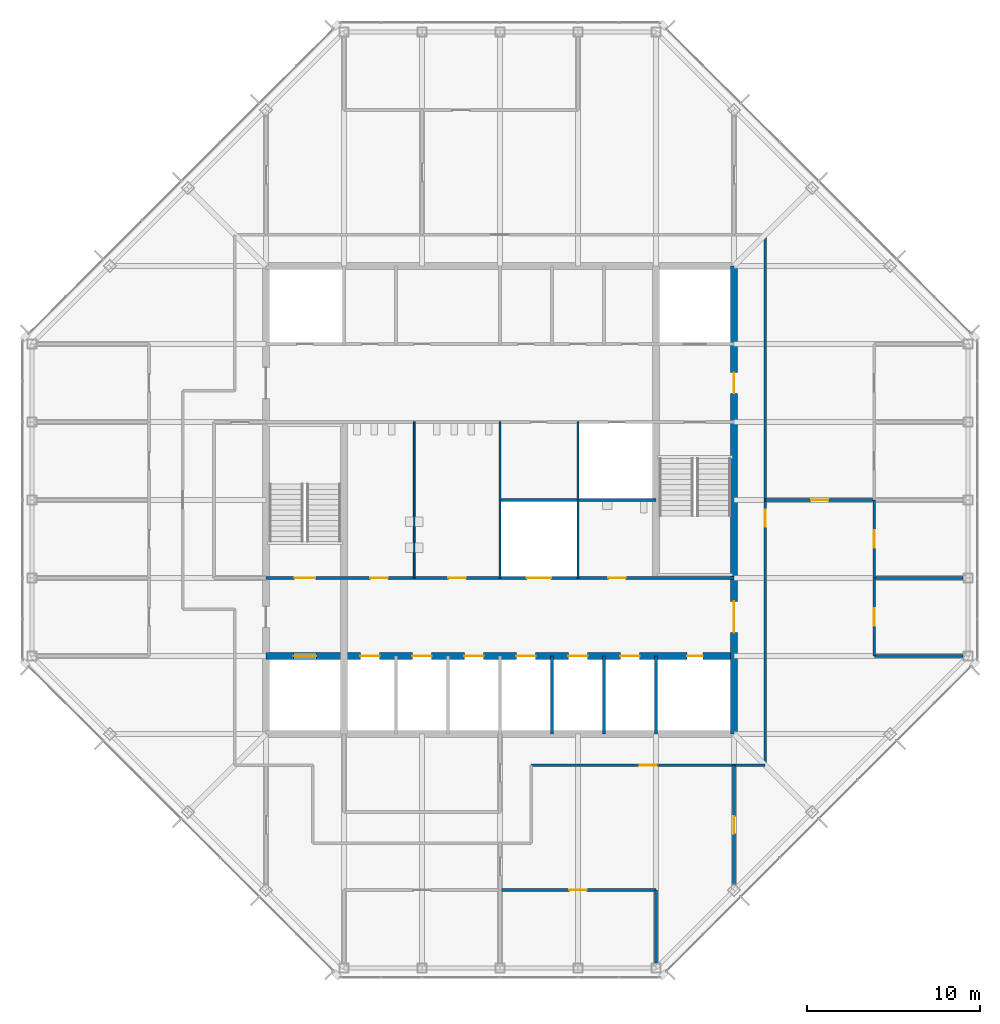
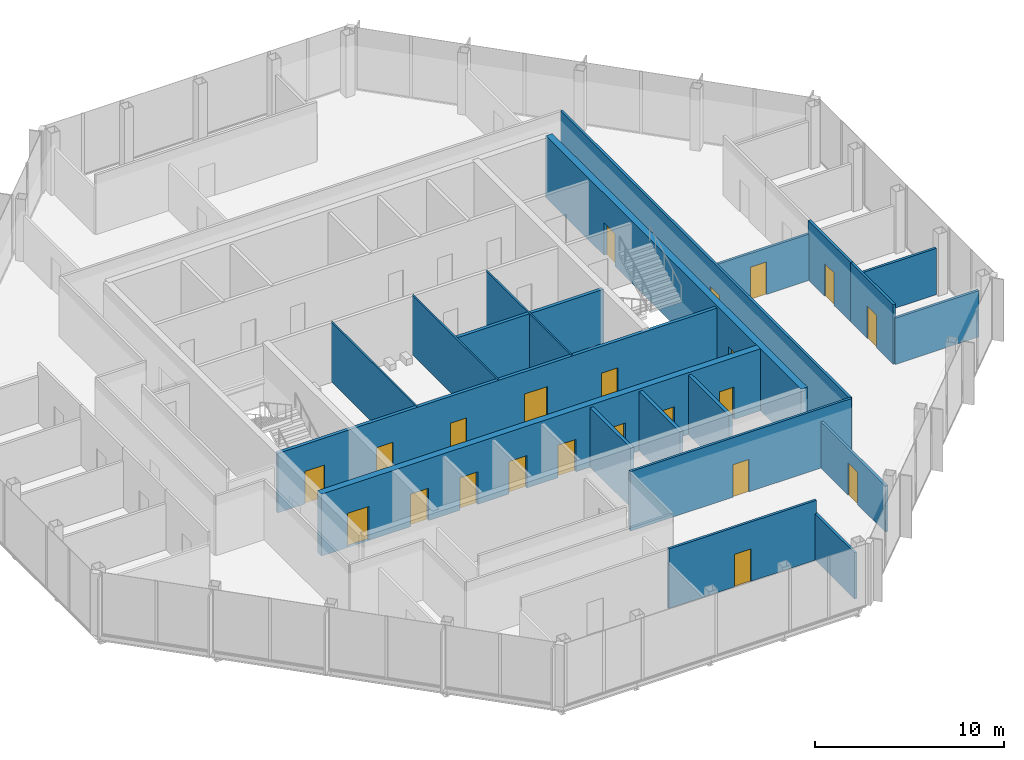
# One storey, part 10 of 14: 22 doors, 20 walls, 22 openings.
"""IFC4 building model written with IfcOpenShell, lengths in metres."""

from ifc_helpers import new_model, si_unit, direction, frame, frame_2d, origin, place, context, subcontext, project, spatial, rectangle, extrude, material, layer, layer_set, type_object, element, fill, save


model = new_model("IFC4")

# Units and contexts
model_context = context("Model", 3, precision=1e-05, world=origin(), true_north=direction((0.0, 1.0)))
body_context = subcontext(model_context, "Body", "Model", "MODEL_VIEW")
ifc_project = project(units=[si_unit("LENGTHUNIT", "METRE"), si_unit("AREAUNIT", "SQUARE_METRE"), si_unit("VOLUMEUNIT", "CUBIC_METRE"), si_unit("PLANEANGLEUNIT", "RADIAN"), si_unit("MASSUNIT", "GRAM", prefix="KILO")], contexts=[model_context])

# Site, building, storey
site_placement = place(None, origin())
site = spatial("IfcSite", under=ifc_project, at=site_placement, CompositionType="ELEMENT")
building_placement = place(site_placement, origin())
building = spatial("IfcBuilding", under=site, at=building_placement, Name="Corais Broadcast Tower", CompositionType="ELEMENT")
storey_placement = place(building_placement, frame((0.0, 0.0, 298.60009765625)))
storey = spatial("IfcBuildingStorey", under=building, at=storey_placement, Name="L70", CompositionType="ELEMENT", Elevation=298.60009765625)

# Wall
ifc_material_1 = material(Name="Concrete blockwork class A, grouted, two-hour", Category="masonry")
ifc_layer_1 = layer(ifc_material_1, 0.199951171875)
ifc_layer_set_1 = layer_set([ifc_layer_1], Name="Concrete blockwork class A, grouted, two-hour")
wall_type_1 = type_object("IfcWallType", Name="Core lobby wall 200", PredefinedType="SOLIDWALL", material=ifc_layer_set_1)
wall_1_placement = place(storey_placement, frame((36.0, 13.5, 0.0), z_axis=(0.0, 0.0, 1.0), x_axis=(0.0, 1.0, 0.0)))
element("IfcWall", 1, at=wall_1_placement, inside=storey, type_object=wall_type_1, Name="CL3 core shaft wall X36A L70", PredefinedType="SOLIDWALL", context=body_context, shape_type="SweptSolid", body=[
    extrude(rectangle(XDim=4.5, YDim=0.199951171875, at=frame_2d((2.25, 0.0))), origin(), (0.0, 0.0, 1.0), 3.83984375),
])

# Wall, openings, doors
wall_2_placement = place(storey_placement, frame((13.5, 22.5, 0.0), z_axis=(0.0, 0.0, 1.0), x_axis=(1.0, 0.0, 0.0)))
wall_2 = element("IfcWall", 2, at=wall_2_placement, inside=storey, type_object=wall_type_1, Name="CL3 core lobby wall Y225 L70", PredefinedType="SOLIDWALL", context=body_context, shape_type="SweptSolid", body=[
    extrude(rectangle(XDim=27.0, YDim=0.199951171875, at=frame_2d((13.5, 0.0))), origin(), (0.0, 0.0, 1.0), 3.83984375),
])
opening_1_placement = place(wall_2_placement, frame((1.64990234375, 0.0, 0.0)))
opening_1 = element("IfcOpeningElement", 3, at=opening_1_placement, cuts=wall_2, Name="Opening FD1", PredefinedType="OPENING", context=body_context, shape_type="SweptSolid", body=[
    extrude(rectangle(XDim=1.199951171875, YDim=2.10009765625, at=frame_2d((0.60009765625, 1.050048828125))), frame((0.0, 0.10986328125, 0.0), z_axis=(0.0, -1.0, 0.0), x_axis=(1.0, 0.0, 0.0)), (0.0, 0.0, 1.0), 0.219970703125),
])
opening_2_placement = place(wall_2_placement, frame((6.02490234375, 0.0, 0.0)))
opening_2 = element("IfcOpeningElement", 4, at=opening_2_placement, cuts=wall_2, Name="Opening WD1", PredefinedType="OPENING", context=body_context, shape_type="SweptSolid", body=[
    extrude(rectangle(XDim=1.0, YDim=2.10009765625, at=frame_2d((0.5, 1.050048828125))), frame((0.0, 0.10986328125, 0.0), z_axis=(0.0, -1.0, 0.0), x_axis=(1.0, 0.0, 0.0)), (0.0, 0.0, 1.0), 0.219970703125),
])
opening_3_placement = place(wall_2_placement, frame((10.52490234375, 0.0, 0.0)))
opening_3 = element("IfcOpeningElement", 5, at=opening_3_placement, cuts=wall_2, Name="Opening WD1", PredefinedType="OPENING", context=body_context, shape_type="SweptSolid", body=[
    extrude(rectangle(XDim=1.0, YDim=2.10009765625, at=frame_2d((0.5, 1.050048828125))), frame((0.0, 0.10986328125, 0.0), z_axis=(0.0, -1.0, 0.0), x_axis=(1.0, 0.0, 0.0)), (0.0, 0.0, 1.0), 0.219970703125),
])
opening_4_placement = place(wall_2_placement, frame((19.75, 0.0, 0.0)))
opening_4 = element("IfcOpeningElement", 6, at=opening_4_placement, cuts=wall_2, Name="Opening WD1", PredefinedType="OPENING", context=body_context, shape_type="SweptSolid", body=[
    extrude(rectangle(XDim=1.0, YDim=2.10009765625, at=frame_2d((0.5, 1.050048828125))), frame((0.0, 0.10986328125, 0.0), z_axis=(0.0, -1.0, 0.0), x_axis=(1.0, 0.0, 0.0)), (0.0, 0.0, 1.0), 0.219970703125),
])
opening_5_placement = place(wall_2_placement, frame((15.050048828125, 0.0, 0.0)))
opening_5 = element("IfcOpeningElement", 7, at=opening_5_placement, cuts=wall_2, Name="Opening LD3", PredefinedType="OPENING", context=body_context, shape_type="SweptSolid", body=[
    extrude(rectangle(XDim=1.39990234375, YDim=2.39990234375, at=frame_2d((0.699951171875, 1.199951171875))), frame((0.0, 0.10986328125, 0.0), z_axis=(0.0, -1.0, 0.0), x_axis=(1.0, 0.0, 0.0)), (0.0, 0.0, 1.0), 0.219970703125),
])
ifc_material_2 = material(Name="Steel fire door", Category="steel")
door_type_1 = type_object("IfcDoorType", Name="Fire door 1200x2100", OperationType="SINGLE_SWING_LEFT", PredefinedType="DOOR", material=ifc_material_2)
door_1_placement = place(opening_1_placement, origin())
door_1 = element("IfcDoor", 8, at=door_1_placement, inside=storey, type_object=door_type_1, Name="FD1 stair A door L70", OperationType="SINGLE_SWING_LEFT", OverallHeight=2.10009765625, OverallWidth=1.199951171875, PredefinedType="DOOR", context=body_context, shape_type="SweptSolid", body=[
    extrude(rectangle(XDim=1.199951171875, YDim=2.10009765625, at=frame_2d((0.60009765625, 1.050048828125))), frame((0.0, 0.02490234375, 0.0), z_axis=(0.0, -1.0, 0.0), x_axis=(1.0, 0.0, 0.0)), (0.0, 0.0, 1.0), 0.050048828125),
])
fill(opening_1, door_1)
ifc_material_3 = material(Name="Stainless steel lift door", Category="steel")
door_type_2 = type_object("IfcDoorType", Name="Service lift landing door 1400x2400", OperationType="SLIDING_TO_LEFT", PredefinedType="DOOR", material=ifc_material_3)
door_2_placement = place(opening_5_placement, origin())
door_2 = element("IfcDoor", 9, at=door_2_placement, inside=storey, type_object=door_type_2, Name="LD3 SL1 landing door L70", OperationType="SLIDING_TO_LEFT", OverallHeight=2.39990234375, OverallWidth=1.39990234375, PredefinedType="DOOR", context=body_context, shape_type="SweptSolid", body=[
    extrude(rectangle(XDim=1.39990234375, YDim=2.39990234375, at=frame_2d((0.699951171875, 1.199951171875))), frame((0.0, 0.02490234375, 0.0), z_axis=(0.0, -1.0, 0.0), x_axis=(1.0, 0.0, 0.0)), (0.0, 0.0, 1.0), 0.050048828125),
])
fill(opening_5, door_2)
ifc_material_4 = material(Name="Timber door", Category="wood")
door_type_3 = type_object("IfcDoorType", Name="Toilet door 1000x2100", OperationType="SINGLE_SWING_LEFT", PredefinedType="DOOR", material=ifc_material_4)
door_3_placement = place(opening_2_placement, origin())
door_3 = element("IfcDoor", 10, at=door_3_placement, inside=storey, type_object=door_type_3, Name="WD1 WC male door L70", OperationType="SINGLE_SWING_LEFT", OverallHeight=2.10009765625, OverallWidth=1.0, PredefinedType="DOOR", context=body_context, shape_type="SweptSolid", body=[
    extrude(rectangle(XDim=1.0, YDim=2.10009765625, at=frame_2d((0.5, 1.050048828125))), frame((0.0, 0.02490234375, 0.0), z_axis=(0.0, -1.0, 0.0), x_axis=(1.0, 0.0, 0.0)), (0.0, 0.0, 1.0), 0.050048828125),
])
fill(opening_2, door_3)
door_4_placement = place(opening_3_placement, origin())
door_4 = element("IfcDoor", 11, at=door_4_placement, inside=storey, type_object=door_type_3, Name="WD1 WC female door L70", OperationType="SINGLE_SWING_LEFT", OverallHeight=2.10009765625, OverallWidth=1.0, PredefinedType="DOOR", context=body_context, shape_type="SweptSolid", body=[
    extrude(rectangle(XDim=1.0, YDim=2.10009765625, at=frame_2d((0.5, 1.050048828125))), frame((0.0, 0.02490234375, 0.0), z_axis=(0.0, -1.0, 0.0), x_axis=(1.0, 0.0, 0.0)), (0.0, 0.0, 1.0), 0.050048828125),
])
fill(opening_3, door_4)
door_5_placement = place(opening_4_placement, origin())
door_5 = element("IfcDoor", 12, at=door_5_placement, inside=storey, type_object=door_type_3, Name="WD1 accessible WC door L70", OperationType="SINGLE_SWING_RIGHT", OverallHeight=2.10009765625, OverallWidth=1.0, PredefinedType="DOOR", context=body_context, shape_type="SweptSolid", body=[
    extrude(rectangle(XDim=1.0, YDim=2.10009765625, at=frame_2d((0.5, 1.050048828125))), frame((0.0, 0.02490234375, 0.0), z_axis=(0.0, -1.0, 0.0), x_axis=(1.0, 0.0, 0.0)), (0.0, 0.0, 1.0), 0.050048828125),
])
fill(opening_4, door_5)

ifc_material_5 = material(Name="Concrete C50/60", Category="concrete")
ifc_layer_2 = layer(ifc_material_5, 0.39990234375)
ifc_layer_set_2 = layer_set([ifc_layer_2], Name="Concrete C50/60")
wall_type_2 = type_object("IfcWallType", Name="Core wall 400", PredefinedType="SHEAR", material=ifc_layer_set_2)
wall_3_placement = place(storey_placement, frame((40.5, 13.5, 0.0), z_axis=(0.0, 0.0, 1.0), x_axis=(0.0, 1.0, 0.0)))
wall_3 = element("IfcWall", 13, at=wall_3_placement, inside=storey, type_object=wall_type_2, Name="CR400 core wall E L70", PredefinedType="SHEAR", context=body_context, shape_type="SweptSolid", body=[
    extrude(rectangle(XDim=27.0, YDim=0.39990234375, at=frame_2d((13.5, 0.0))), origin(), (0.0, 0.0, 1.0), 4.0),
])
opening_6_placement = place(wall_3_placement, frame((5.85009765625, 0.0, 0.0)))
opening_6 = element("IfcOpeningElement", 14, at=opening_6_placement, cuts=wall_3, Name="Opening FD2", PredefinedType="OPENING", context=body_context, shape_type="SweptSolid", body=[
    extrude(rectangle(XDim=1.800048828125, YDim=2.10009765625, at=frame_2d((0.89990234375, 1.050048828125))), frame((0.0, 0.2099609375, 0.0), z_axis=(0.0, -1.0, 0.0), x_axis=(1.0, 0.0, 0.0)), (0.0, 0.0, 1.0), 0.419921875),
])
opening_7_placement = place(wall_3_placement, frame((19.64990234375, 0.0, 0.0)))
opening_7 = element("IfcOpeningElement", 15, at=opening_7_placement, cuts=wall_3, Name="Opening FD1", PredefinedType="OPENING", context=body_context, shape_type="SweptSolid", body=[
    extrude(rectangle(XDim=1.199951171875, YDim=2.10009765625, at=frame_2d((0.60009765625, 1.050048828125))), frame((0.0, 0.2099609375, 0.0), z_axis=(0.0, -1.0, 0.0), x_axis=(1.0, 0.0, 0.0)), (0.0, 0.0, 1.0), 0.419921875),
])
door_6_placement = place(opening_7_placement, origin())
door_6 = element("IfcDoor", 16, at=door_6_placement, inside=storey, type_object=door_type_1, Name="FD1 fire lobby B door L70", OperationType="SINGLE_SWING_RIGHT", OverallHeight=2.10009765625, OverallWidth=1.199951171875, PredefinedType="DOOR", context=body_context, shape_type="SweptSolid", body=[
    extrude(rectangle(XDim=1.199951171875, YDim=2.10009765625, at=frame_2d((0.60009765625, 1.050048828125))), frame((0.0, 0.02490234375, 0.0), z_axis=(0.0, -1.0, 0.0), x_axis=(1.0, 0.0, 0.0)), (0.0, 0.0, 1.0), 0.050048828125),
])
fill(opening_7, door_6)
ifc_material_6 = material(Name="Steel fire door", Category="steel")
door_type_4 = type_object("IfcDoorType", Name="Fire door pair 1800x2100", OperationType="DOUBLE_DOOR_SINGLE_SWING", PredefinedType="DOOR", material=ifc_material_6)
door_7_placement = place(opening_6_placement, origin())
door_7 = element("IfcDoor", 17, at=door_7_placement, inside=storey, type_object=door_type_4, Name="FD2 lift lobby door L70", OperationType="SINGLE_SWING_LEFT", OverallHeight=2.10009765625, OverallWidth=1.800048828125, PredefinedType="DOOR", context=body_context, shape_type="SweptSolid", body=[
    extrude(rectangle(XDim=1.800048828125, YDim=2.10009765625, at=frame_2d((0.89990234375, 1.050048828125))), frame((0.0, 0.02490234375, 0.0), z_axis=(0.0, -1.0, 0.0), x_axis=(1.0, 0.0, 0.0)), (0.0, 0.0, 1.0), 0.050048828125),
])
fill(opening_6, door_7)

wall_4_placement = place(storey_placement, frame((13.5, 18.0, 0.0), z_axis=(0.0, 0.0, 1.0), x_axis=(1.0, 0.0, 0.0)))
wall_4 = element("IfcWall", 18, at=wall_4_placement, inside=storey, type_object=wall_type_2, Name="CR400 core wall Y18 L70", PredefinedType="SHEAR", context=body_context, shape_type="SweptSolid", body=[
    extrude(rectangle(XDim=27.0, YDim=0.39990234375, at=frame_2d((13.5, 0.0))), origin(), (0.0, 0.0, 1.0), 4.0),
])
opening_8_placement = place(wall_4_placement, frame((24.300048828125, 0.0, 0.0)))
opening_8 = element("IfcOpeningElement", 19, at=opening_8_placement, cuts=wall_4, Name="Opening RD1", PredefinedType="OPENING", context=body_context, shape_type="SweptSolid", body=[
    extrude(rectangle(XDim=0.89990234375, YDim=2.10009765625, at=frame_2d((0.449951171875, 1.050048828125))), frame((0.0, 0.2099609375, 0.0), z_axis=(0.0, -1.0, 0.0), x_axis=(1.0, 0.0, 0.0)), (0.0, 0.0, 1.0), 0.419921875),
])
opening_9_placement = place(wall_4_placement, frame((5.449951171875, 0.0, 0.0)))
opening_9 = element("IfcOpeningElement", 20, at=opening_9_placement, cuts=wall_4, Name="Opening LD1", PredefinedType="OPENING", context=body_context, shape_type="SweptSolid", body=[
    extrude(rectangle(XDim=1.10009765625, YDim=2.10009765625, at=frame_2d((0.550048828125, 1.050048828125))), frame((0.0, 0.2099609375, 0.0), z_axis=(0.0, -1.0, 0.0), x_axis=(1.0, 0.0, 0.0)), (0.0, 0.0, 1.0), 0.419921875),
])
opening_10_placement = place(wall_4_placement, frame((8.449951171875, 0.0, 0.0)))
opening_10 = element("IfcOpeningElement", 21, at=opening_10_placement, cuts=wall_4, Name="Opening LD1", PredefinedType="OPENING", context=body_context, shape_type="SweptSolid", body=[
    extrude(rectangle(XDim=1.10009765625, YDim=2.10009765625, at=frame_2d((0.550048828125, 1.050048828125))), frame((0.0, 0.2099609375, 0.0), z_axis=(0.0, -1.0, 0.0), x_axis=(1.0, 0.0, 0.0)), (0.0, 0.0, 1.0), 0.419921875),
])
opening_11_placement = place(wall_4_placement, frame((11.449951171875, 0.0, 0.0)))
opening_11 = element("IfcOpeningElement", 22, at=opening_11_placement, cuts=wall_4, Name="Opening LD1", PredefinedType="OPENING", context=body_context, shape_type="SweptSolid", body=[
    extrude(rectangle(XDim=1.10009765625, YDim=2.10009765625, at=frame_2d((0.550048828125, 1.050048828125))), frame((0.0, 0.2099609375, 0.0), z_axis=(0.0, -1.0, 0.0), x_axis=(1.0, 0.0, 0.0)), (0.0, 0.0, 1.0), 0.419921875),
])
opening_12_placement = place(wall_4_placement, frame((14.449951171875, 0.0, 0.0)))
opening_12 = element("IfcOpeningElement", 23, at=opening_12_placement, cuts=wall_4, Name="Opening LD1", PredefinedType="OPENING", context=body_context, shape_type="SweptSolid", body=[
    extrude(rectangle(XDim=1.10009765625, YDim=2.10009765625, at=frame_2d((0.550048828125, 1.050048828125))), frame((0.0, 0.2099609375, 0.0), z_axis=(0.0, -1.0, 0.0), x_axis=(1.0, 0.0, 0.0)), (0.0, 0.0, 1.0), 0.419921875),
])
opening_13_placement = place(wall_4_placement, frame((17.449951171875, 0.0, 0.0)))
opening_13 = element("IfcOpeningElement", 24, at=opening_13_placement, cuts=wall_4, Name="Opening LD1", PredefinedType="OPENING", context=body_context, shape_type="SweptSolid", body=[
    extrude(rectangle(XDim=1.10009765625, YDim=2.10009765625, at=frame_2d((0.550048828125, 1.050048828125))), frame((0.0, 0.2099609375, 0.0), z_axis=(0.0, -1.0, 0.0), x_axis=(1.0, 0.0, 0.0)), (0.0, 0.0, 1.0), 0.419921875),
])
opening_14_placement = place(wall_4_placement, frame((20.449951171875, 0.0, 0.0)))
opening_14 = element("IfcOpeningElement", 25, at=opening_14_placement, cuts=wall_4, Name="Opening LD1", PredefinedType="OPENING", context=body_context, shape_type="SweptSolid", body=[
    extrude(rectangle(XDim=1.10009765625, YDim=2.10009765625, at=frame_2d((0.550048828125, 1.050048828125))), frame((0.0, 0.2099609375, 0.0), z_axis=(0.0, -1.0, 0.0), x_axis=(1.0, 0.0, 0.0)), (0.0, 0.0, 1.0), 0.419921875),
])
opening_15_placement = place(wall_4_placement, frame((1.60009765625, 0.0, 0.0)))
opening_15 = element("IfcOpeningElement", 26, at=opening_15_placement, cuts=wall_4, Name="Opening LD2", PredefinedType="OPENING", context=body_context, shape_type="SweptSolid", body=[
    extrude(rectangle(XDim=1.300048828125, YDim=2.199951171875, at=frame_2d((0.64990234375, 1.10009765625))), frame((0.0, 0.2099609375, 0.0), z_axis=(0.0, -1.0, 0.0), x_axis=(1.0, 0.0, 0.0)), (0.0, 0.0, 1.0), 0.419921875),
])
ifc_material_7 = material(Name="Stainless steel lift door", Category="steel")
door_type_5 = type_object("IfcDoorType", Name="Lift landing door 1100x2100", OperationType="SLIDING_TO_LEFT", PredefinedType="DOOR", material=ifc_material_7)
door_8_placement = place(opening_9_placement, origin())
door_8 = element("IfcDoor", 27, at=door_8_placement, inside=storey, type_object=door_type_5, Name="LD1 PH1 landing door L70", OperationType="SLIDING_TO_LEFT", OverallHeight=2.10009765625, OverallWidth=1.10009765625, PredefinedType="DOOR", context=body_context, shape_type="SweptSolid", body=[
    extrude(rectangle(XDim=1.10009765625, YDim=2.10009765625, at=frame_2d((0.550048828125, 1.050048828125))), frame((0.0, 0.02490234375, 0.0), z_axis=(0.0, -1.0, 0.0), x_axis=(1.0, 0.0, 0.0)), (0.0, 0.0, 1.0), 0.050048828125),
])
fill(opening_9, door_8)
door_9_placement = place(opening_10_placement, origin())
door_9 = element("IfcDoor", 28, at=door_9_placement, inside=storey, type_object=door_type_5, Name="LD1 PH2 landing door L70", OperationType="SLIDING_TO_LEFT", OverallHeight=2.10009765625, OverallWidth=1.10009765625, PredefinedType="DOOR", context=body_context, shape_type="SweptSolid", body=[
    extrude(rectangle(XDim=1.10009765625, YDim=2.10009765625, at=frame_2d((0.550048828125, 1.050048828125))), frame((0.0, 0.02490234375, 0.0), z_axis=(0.0, -1.0, 0.0), x_axis=(1.0, 0.0, 0.0)), (0.0, 0.0, 1.0), 0.050048828125),
])
fill(opening_10, door_9)
door_10_placement = place(opening_11_placement, origin())
door_10 = element("IfcDoor", 29, at=door_10_placement, inside=storey, type_object=door_type_5, Name="LD1 PH3 landing door L70", OperationType="SLIDING_TO_LEFT", OverallHeight=2.10009765625, OverallWidth=1.10009765625, PredefinedType="DOOR", context=body_context, shape_type="SweptSolid", body=[
    extrude(rectangle(XDim=1.10009765625, YDim=2.10009765625, at=frame_2d((0.550048828125, 1.050048828125))), frame((0.0, 0.02490234375, 0.0), z_axis=(0.0, -1.0, 0.0), x_axis=(1.0, 0.0, 0.0)), (0.0, 0.0, 1.0), 0.050048828125),
])
fill(opening_11, door_10)
door_11_placement = place(opening_12_placement, origin())
door_11 = element("IfcDoor", 30, at=door_11_placement, inside=storey, type_object=door_type_5, Name="LD1 PH4 landing door L70", OperationType="SLIDING_TO_LEFT", OverallHeight=2.10009765625, OverallWidth=1.10009765625, PredefinedType="DOOR", context=body_context, shape_type="SweptSolid", body=[
    extrude(rectangle(XDim=1.10009765625, YDim=2.10009765625, at=frame_2d((0.550048828125, 1.050048828125))), frame((0.0, 0.02490234375, 0.0), z_axis=(0.0, -1.0, 0.0), x_axis=(1.0, 0.0, 0.0)), (0.0, 0.0, 1.0), 0.050048828125),
])
fill(opening_12, door_11)
door_12_placement = place(opening_13_placement, origin())
door_12 = element("IfcDoor", 31, at=door_12_placement, inside=storey, type_object=door_type_5, Name="LD1 PH5 landing door L70", OperationType="SLIDING_TO_LEFT", OverallHeight=2.10009765625, OverallWidth=1.10009765625, PredefinedType="DOOR", context=body_context, shape_type="SweptSolid", body=[
    extrude(rectangle(XDim=1.10009765625, YDim=2.10009765625, at=frame_2d((0.550048828125, 1.050048828125))), frame((0.0, 0.02490234375, 0.0), z_axis=(0.0, -1.0, 0.0), x_axis=(1.0, 0.0, 0.0)), (0.0, 0.0, 1.0), 0.050048828125),
])
fill(opening_13, door_12)
door_13_placement = place(opening_14_placement, origin())
door_13 = element("IfcDoor", 32, at=door_13_placement, inside=storey, type_object=door_type_5, Name="LD1 PH6 landing door L70", OperationType="SLIDING_TO_LEFT", OverallHeight=2.10009765625, OverallWidth=1.10009765625, PredefinedType="DOOR", context=body_context, shape_type="SweptSolid", body=[
    extrude(rectangle(XDim=1.10009765625, YDim=2.10009765625, at=frame_2d((0.550048828125, 1.050048828125))), frame((0.0, 0.02490234375, 0.0), z_axis=(0.0, -1.0, 0.0), x_axis=(1.0, 0.0, 0.0)), (0.0, 0.0, 1.0), 0.050048828125),
])
fill(opening_14, door_13)
ifc_material_8 = material(Name="Stainless steel lift door", Category="steel")
door_type_6 = type_object("IfcDoorType", Name="Lift landing door 1300x2200", OperationType="SLIDING_TO_LEFT", PredefinedType="DOOR", material=ifc_material_8)
door_14_placement = place(opening_15_placement, origin())
door_14 = element("IfcDoor", 33, at=door_14_placement, inside=storey, type_object=door_type_6, Name="LD2 FL1 landing door L70", OperationType="SLIDING_TO_LEFT", OverallHeight=2.199951171875, OverallWidth=1.300048828125, PredefinedType="DOOR", context=body_context, shape_type="SweptSolid", body=[
    extrude(rectangle(XDim=1.300048828125, YDim=2.199951171875, at=frame_2d((0.64990234375, 1.10009765625))), frame((0.0, 0.02490234375, 0.0), z_axis=(0.0, -1.0, 0.0), x_axis=(1.0, 0.0, 0.0)), (0.0, 0.0, 1.0), 0.050048828125),
])
fill(opening_15, door_14)
ifc_material_9 = material(Name="Steel fire door", Category="steel")
door_type_7 = type_object("IfcDoorType", Name="Riser door 900x2100", OperationType="SINGLE_SWING_LEFT", PredefinedType="DOOR", material=ifc_material_9)
door_15_placement = place(opening_8_placement, origin())
door_15 = element("IfcDoor", 34, at=door_15_placement, inside=storey, type_object=door_type_7, Name="RD1 riser door L70", OperationType="SINGLE_SWING_RIGHT", OverallHeight=2.10009765625, OverallWidth=0.89990234375, PredefinedType="DOOR", context=body_context, shape_type="SweptSolid", body=[
    extrude(rectangle(XDim=0.89990234375, YDim=2.10009765625, at=frame_2d((0.449951171875, 1.050048828125))), frame((0.0, 0.02490234375, 0.0), z_axis=(0.0, -1.0, 0.0), x_axis=(1.0, 0.0, 0.0)), (0.0, 0.0, 1.0), 0.050048828125),
])
fill(opening_8, door_15)

# Wall, opening, door
ifc_material_10 = material(Name="Gypsum board on steel studs", Category="steel")
ifc_layer_3 = layer(ifc_material_10, 0.14990234375)
ifc_layer_set_3 = layer_set([ifc_layer_3], Name="Gypsum board on steel studs")
wall_type_3 = type_object("IfcWallType", Name="Partition 150", PredefinedType="PARTITIONING", material=ifc_layer_set_3)
wall_5_placement = place(storey_placement, frame((42.300048828125, 11.699951171875, 0.0), z_axis=(0.0, 0.0, 1.0), x_axis=(0.0, 1.0, 0.0)))
wall_5 = element("IfcWall", 35, at=wall_5_placement, inside=storey, type_object=wall_type_3, Name="IW3 corridor wall L70", PredefinedType="PARTITIONING", context=body_context, shape_type="SweptSolid", body=[
    extrude(rectangle(XDim=30.60009765625, YDim=0.14990234375, at=frame_2d((15.300048828125, 0.0))), origin(), (0.0, 0.0, 1.0), 3.83984375),
])
opening_16_placement = place(wall_5_placement, frame((13.75, 0.0, 0.0)))
opening_16 = element("IfcOpeningElement", 36, at=opening_16_placement, cuts=wall_5, Name="Opening D1", PredefinedType="OPENING", context=body_context, shape_type="SweptSolid", body=[
    extrude(rectangle(XDim=1.0, YDim=2.10009765625, at=frame_2d((0.5, 1.050048828125))), frame((0.0, 0.0849609375, 0.0), z_axis=(0.0, -1.0, 0.0), x_axis=(1.0, 0.0, 0.0)), (0.0, 0.0, 1.0), 0.169921875),
])
ifc_material_11 = material(Name="Timber door", Category="wood")
door_type_8 = type_object("IfcDoorType", Name="Single door 1000x2100", OperationType="SINGLE_SWING_LEFT", PredefinedType="DOOR", material=ifc_material_11)
door_16_placement = place(opening_16_placement, origin())
door_16 = element("IfcDoor", 37, at=door_16_placement, inside=storey, type_object=door_type_8, Name="D1 workplace door L70", OperationType="SINGLE_SWING_LEFT", OverallHeight=2.10009765625, OverallWidth=1.0, PredefinedType="DOOR", context=body_context, shape_type="SweptSolid", body=[
    extrude(rectangle(XDim=1.0, YDim=2.10009765625, at=frame_2d((0.5, 1.050048828125))), frame((0.0, 0.02490234375, 0.0), z_axis=(0.0, -1.0, 0.0), x_axis=(1.0, 0.0, 0.0)), (0.0, 0.0, 1.0), 0.050048828125),
])
fill(opening_16, door_16)

wall_6_placement = place(storey_placement, frame((28.800048828125, 11.699951171875, 0.0), z_axis=(0.0, 0.0, 1.0), x_axis=(1.0, 0.0, 0.0)))
wall_6 = element("IfcWall", 38, at=wall_6_placement, inside=storey, type_object=wall_type_3, Name="IW3 corridor wall L70", PredefinedType="PARTITIONING", context=body_context, shape_type="SweptSolid", body=[
    extrude(rectangle(XDim=13.5, YDim=0.14990234375, at=frame_2d((6.75, 0.0))), origin(), (0.0, 0.0, 1.0), 3.83984375),
])
opening_17_placement = place(wall_6_placement, frame((6.25, 0.0, 0.0)))
opening_17 = element("IfcOpeningElement", 39, at=opening_17_placement, cuts=wall_6, Name="Opening D1", PredefinedType="OPENING", context=body_context, shape_type="SweptSolid", body=[
    extrude(rectangle(XDim=1.0, YDim=2.10009765625, at=frame_2d((0.5, 1.050048828125))), frame((0.0, 0.0849609375, 0.0), z_axis=(0.0, -1.0, 0.0), x_axis=(1.0, 0.0, 0.0)), (0.0, 0.0, 1.0), 0.169921875),
])
door_17_placement = place(opening_17_placement, origin())
door_17 = element("IfcDoor", 40, at=door_17_placement, inside=storey, type_object=door_type_8, Name="D1 workplace door L70", OperationType="SINGLE_SWING_LEFT", OverallHeight=2.10009765625, OverallWidth=1.0, PredefinedType="DOOR", context=body_context, shape_type="SweptSolid", body=[
    extrude(rectangle(XDim=1.0, YDim=2.10009765625, at=frame_2d((0.5, 1.050048828125))), frame((0.0, 0.02490234375, 0.0), z_axis=(0.0, -1.0, 0.0), x_axis=(1.0, 0.0, 0.0)), (0.0, 0.0, 1.0), 0.050048828125),
])
fill(opening_17, door_17)

# Walls
for number, where, z_axis, x_axis, name in (
    (41, (48.60009765625, 18.0, 0.0), (0.0, 0.0, 1.0), (1.0, 0.0, 0.0), "IW3 partition L70"),
    (42, (53.715087890625, 22.5, 0.0), (0.0, 0.0, 1.0), (-1.0, 0.0, 0.0), "IW3 partition L70"),
):
    element("IfcWall", number, at=place(storey_placement, frame(where, z_axis=z_axis, x_axis=x_axis)), inside=storey, type_object=wall_type_3, Name=name, PredefinedType="PARTITIONING", context=body_context, shape_type="SweptSolid", body=[
        extrude(rectangle(XDim=5.114990234375, YDim=0.14990234375, at=frame_2d((2.5576171875, 0.0))), origin(), (0.0, 0.0, 1.0), 2.989013671875),
    ])

# Wall, opening, door
wall_7_placement = place(storey_placement, frame((48.60009765625, 22.5, 0.0), z_axis=(0.0, 0.0, 1.0), x_axis=(0.0, -1.0, 0.0)))
wall_7 = element("IfcWall", 43, at=wall_7_placement, inside=storey, type_object=wall_type_3, Name="IW3 partition L70", PredefinedType="PARTITIONING", context=body_context, shape_type="SweptSolid", body=[
    extrude(rectangle(XDim=4.5, YDim=0.14990234375, at=frame_2d((2.25, 0.0))), origin(), (0.0, 0.0, 1.0), 3.83984375),
])
opening_18_placement = place(wall_7_placement, frame((1.75, 0.0, 0.0)))
opening_18 = element("IfcOpeningElement", 44, at=opening_18_placement, cuts=wall_7, Name="Opening D1", PredefinedType="OPENING", context=body_context, shape_type="SweptSolid", body=[
    extrude(rectangle(XDim=1.0, YDim=2.10009765625, at=frame_2d((0.5, 1.050048828125))), frame((0.0, 0.0849609375, 0.0), z_axis=(0.0, -1.0, 0.0), x_axis=(1.0, 0.0, 0.0)), (0.0, 0.0, 1.0), 0.169921875),
])
door_18_placement = place(opening_18_placement, origin())
door_18 = element("IfcDoor", 45, at=door_18_placement, inside=storey, type_object=door_type_8, Name="D1 Executive office door", OperationType="SINGLE_SWING_LEFT", OverallHeight=2.10009765625, OverallWidth=1.0, PredefinedType="DOOR", context=body_context, shape_type="SweptSolid", body=[
    extrude(rectangle(XDim=1.0, YDim=2.10009765625, at=frame_2d((0.5, 1.050048828125))), frame((0.0, 0.02490234375, 0.0), z_axis=(0.0, -1.0, 0.0), x_axis=(1.0, 0.0, 0.0)), (0.0, 0.0, 1.0), 0.050048828125),
])
fill(opening_18, door_18)

wall_8_placement = place(storey_placement, frame((48.60009765625, 27.0, 0.0), z_axis=(0.0, 0.0, 1.0), x_axis=(0.0, -1.0, 0.0)))
wall_8 = element("IfcWall", 46, at=wall_8_placement, inside=storey, type_object=wall_type_3, Name="IW3 partition L70", PredefinedType="PARTITIONING", context=body_context, shape_type="SweptSolid", body=[
    extrude(rectangle(XDim=4.5, YDim=0.14990234375, at=frame_2d((2.25, 0.0))), origin(), (0.0, 0.0, 1.0), 3.83984375),
])
opening_19_placement = place(wall_8_placement, frame((1.75, 0.0, 0.0)))
opening_19 = element("IfcOpeningElement", 47, at=opening_19_placement, cuts=wall_8, Name="Opening D1", PredefinedType="OPENING", context=body_context, shape_type="SweptSolid", body=[
    extrude(rectangle(XDim=1.0, YDim=2.10009765625, at=frame_2d((0.5, 1.050048828125))), frame((0.0, 0.0849609375, 0.0), z_axis=(0.0, -1.0, 0.0), x_axis=(1.0, 0.0, 0.0)), (0.0, 0.0, 1.0), 0.169921875),
])
door_19_placement = place(opening_19_placement, origin())
door_19 = element("IfcDoor", 48, at=door_19_placement, inside=storey, type_object=door_type_8, Name="D1 Executive office door", OperationType="SINGLE_SWING_LEFT", OverallHeight=2.10009765625, OverallWidth=1.0, PredefinedType="DOOR", context=body_context, shape_type="SweptSolid", body=[
    extrude(rectangle(XDim=1.0, YDim=2.10009765625, at=frame_2d((0.5, 1.050048828125))), frame((0.0, 0.02490234375, 0.0), z_axis=(0.0, -1.0, 0.0), x_axis=(1.0, 0.0, 0.0)), (0.0, 0.0, 1.0), 0.050048828125),
])
fill(opening_19, door_19)

# Wall
wall_9_placement = place(storey_placement, frame((36.0, 0.284912109375, 0.0), z_axis=(0.0, 0.0, 1.0), x_axis=(0.0, 1.0, 0.0)))
element("IfcWall", 49, at=wall_9_placement, inside=storey, type_object=wall_type_3, Name="IW3 partition L70", PredefinedType="PARTITIONING", context=body_context, shape_type="SweptSolid", body=[
    extrude(rectangle(XDim=4.215087890625, YDim=0.14990234375, at=frame_2d((2.107421875, 0.0))), origin(), (0.0, 0.0, 1.0), 2.989013671875),
])

# Wall, opening, door
wall_10_placement = place(storey_placement, frame((36.0, 4.5, 0.0), z_axis=(0.0, 0.0, 1.0), x_axis=(-1.0, 0.0, 0.0)))
wall_10 = element("IfcWall", 50, at=wall_10_placement, inside=storey, type_object=wall_type_3, Name="IW3 partition L70", PredefinedType="PARTITIONING", context=body_context, shape_type="SweptSolid", body=[
    extrude(rectangle(XDim=9.0, YDim=0.14990234375, at=frame_2d((4.5, 0.0))), origin(), (0.0, 0.0, 1.0), 3.83984375),
])
opening_20_placement = place(wall_10_placement, frame((4.0, 0.0, 0.0)))
opening_20 = element("IfcOpeningElement", 51, at=opening_20_placement, cuts=wall_10, Name="Opening D1", PredefinedType="OPENING", context=body_context, shape_type="SweptSolid", body=[
    extrude(rectangle(XDim=1.0, YDim=2.10009765625, at=frame_2d((0.5, 1.050048828125))), frame((0.0, 0.0849609375, 0.0), z_axis=(0.0, -1.0, 0.0), x_axis=(1.0, 0.0, 0.0)), (0.0, 0.0, 1.0), 0.169921875),
])
door_20_placement = place(opening_20_placement, origin())
door_20 = element("IfcDoor", 52, at=door_20_placement, inside=storey, type_object=door_type_8, Name="D1 Assistant office door", OperationType="SINGLE_SWING_LEFT", OverallHeight=2.10009765625, OverallWidth=1.0, PredefinedType="DOOR", context=body_context, shape_type="SweptSolid", body=[
    extrude(rectangle(XDim=1.0, YDim=2.10009765625, at=frame_2d((0.5, 1.050048828125))), frame((0.0, 0.02490234375, 0.0), z_axis=(0.0, -1.0, 0.0), x_axis=(1.0, 0.0, 0.0)), (0.0, 0.0, 1.0), 0.050048828125),
])
fill(opening_20, door_20)

wall_11_placement = place(storey_placement, frame((40.5, 4.794921875, 0.0), z_axis=(0.0, 0.0, 1.0), x_axis=(0.0, 1.0, 0.0)))
wall_11 = element("IfcWall", 53, at=wall_11_placement, inside=storey, type_object=wall_type_3, Name="IW3 partition L70", PredefinedType="PARTITIONING", context=body_context, shape_type="SweptSolid", body=[
    extrude(rectangle(XDim=6.905029296875, YDim=0.14990234375, at=frame_2d((3.45263671875, 0.0))), origin(), (0.0, 0.0, 1.0), 2.989013671875),
])
opening_21_placement = place(wall_11_placement, frame((2.952392578125, 0.0, 0.0)))
opening_21 = element("IfcOpeningElement", 54, at=opening_21_placement, cuts=wall_11, Name="Opening D1", PredefinedType="OPENING", context=body_context, shape_type="SweptSolid", body=[
    extrude(rectangle(XDim=1.0, YDim=2.10009765625, at=frame_2d((0.5, 1.050048828125))), frame((0.0, 0.0849609375, 0.0), z_axis=(0.0, -1.0, 0.0), x_axis=(1.0, 0.0, 0.0)), (0.0, 0.0, 1.0), 0.169921875),
])
door_21_placement = place(opening_21_placement, origin())
door_21 = element("IfcDoor", 55, at=door_21_placement, inside=storey, type_object=door_type_8, Name="D1 team room door L70", OperationType="SINGLE_SWING_LEFT", OverallHeight=2.10009765625, OverallWidth=1.0, PredefinedType="DOOR", context=body_context, shape_type="SweptSolid", body=[
    extrude(rectangle(XDim=1.0, YDim=2.10009765625, at=frame_2d((0.5, 1.050048828125))), frame((0.0, 0.02490234375, 0.0), z_axis=(0.0, -1.0, 0.0), x_axis=(1.0, 0.0, 0.0)), (0.0, 0.0, 1.0), 0.050048828125),
])
fill(opening_21, door_21)

wall_12_placement = place(storey_placement, frame((42.300048828125, 27.0, 0.0), z_axis=(0.0, 0.0, 1.0), x_axis=(1.0, 0.0, 0.0)))
wall_12 = element("IfcWall", 56, at=wall_12_placement, inside=storey, type_object=wall_type_3, Name="IW3 partition L70", PredefinedType="PARTITIONING", context=body_context, shape_type="SweptSolid", body=[
    extrude(rectangle(XDim=6.300048828125, YDim=0.14990234375, at=frame_2d((3.14990234375, 0.0))), origin(), (0.0, 0.0, 1.0), 2.989013671875),
])
opening_22_placement = place(wall_12_placement, frame((2.64990234375, 0.0, 0.0)))
opening_22 = element("IfcOpeningElement", 57, at=opening_22_placement, cuts=wall_12, Name="Opening D1", PredefinedType="OPENING", context=body_context, shape_type="SweptSolid", body=[
    extrude(rectangle(XDim=1.0, YDim=2.10009765625, at=frame_2d((0.5, 1.050048828125))), frame((0.0, 0.0849609375, 0.0), z_axis=(0.0, -1.0, 0.0), x_axis=(1.0, 0.0, 0.0)), (0.0, 0.0, 1.0), 0.169921875),
])
door_22_placement = place(opening_22_placement, origin())
door_22 = element("IfcDoor", 58, at=door_22_placement, inside=storey, type_object=door_type_8, Name="D1 team room door L70", OperationType="SINGLE_SWING_LEFT", OverallHeight=2.10009765625, OverallWidth=1.0, PredefinedType="DOOR", context=body_context, shape_type="SweptSolid", body=[
    extrude(rectangle(XDim=1.0, YDim=2.10009765625, at=frame_2d((0.5, 1.050048828125))), frame((0.0, 0.02490234375, 0.0), z_axis=(0.0, -1.0, 0.0), x_axis=(1.0, 0.0, 0.0)), (0.0, 0.0, 1.0), 0.050048828125),
])
fill(opening_22, door_22)

# Walls
ifc_material_12 = material(Name="Concrete blockwork class A, grouted, two-hour", Category="masonry")
ifc_layer_4 = layer(ifc_material_12, 0.199951171875)
ifc_layer_set_4 = layer_set([ifc_layer_4], Name="Concrete blockwork class A, grouted, two-hour")
wall_type_4 = type_object("IfcWallType", Name="Shaft wall 200", PredefinedType="PARTITIONING", material=ifc_layer_set_4)
for number, where, z_axis, x_axis, name in (
    (59, (30.0, 13.5, 0.0), (0.0, 0.0, 1.0), (0.0, 1.0, 0.0), "IW1 shaft wall L70"),
    (60, (33.0, 13.5, 0.0), (0.0, 0.0, 1.0), (0.0, 1.0, 0.0), "IW1 shaft wall L70"),
):
    element("IfcWall", number, at=place(storey_placement, frame(where, z_axis=z_axis, x_axis=x_axis)), inside=storey, type_object=wall_type_4, Name=name, PredefinedType="PARTITIONING", context=body_context, shape_type="SweptSolid", body=[
        extrude(rectangle(XDim=4.5, YDim=0.199951171875, at=frame_2d((2.25, 0.0))), origin(), (0.0, 0.0, 1.0), 3.83984375),
    ])
wall_13_placement = place(storey_placement, frame((27.0, 27.0, 0.0), z_axis=(0.0, 0.0, 1.0), x_axis=(1.0, 0.0, 0.0)))
element("IfcWall", 61, at=wall_13_placement, inside=storey, type_object=wall_type_4, Name="IW1 shaft wall L70", PredefinedType="PARTITIONING", context=body_context, shape_type="SweptSolid", body=[
    extrude(rectangle(XDim=9.0, YDim=0.199951171875, at=frame_2d((4.5, 0.0))), origin(), (0.0, 0.0, 1.0), 3.83984375),
])
ifc_material_13 = material(Name="Dense concrete blockwork class A, tiled both faces", Category="masonry")
ifc_layer_5 = layer(ifc_material_13, 0.10009765625)
ifc_layer_set_5 = layer_set([ifc_layer_5], Name="Dense concrete blockwork class A, tiled both faces")
wall_type_5 = type_object("IfcWallType", Name="Toilet wall 100", PredefinedType="PLUMBINGWALL", material=ifc_layer_set_5)
for number, where, z_axis, x_axis, name in (
    (62, (22.050048828125, 22.5, 0.0), (0.0, 0.0, 1.0), (0.0, 1.0, 0.0), "IW2 toilet wall L70"),
    (63, (27.0, 22.5, 0.0), (0.0, 0.0, 1.0), (0.0, 1.0, 0.0), "IW2 toilet wall L70"),
    (64, (31.5, 22.5, 0.0), (0.0, 0.0, 1.0), (0.0, 1.0, 0.0), "IW2 toilet wall L70"),
):
    element("IfcWall", number, at=place(storey_placement, frame(where, z_axis=z_axis, x_axis=x_axis)), inside=storey, type_object=wall_type_5, Name=name, PredefinedType="PLUMBINGWALL", context=body_context, shape_type="SweptSolid", body=[
        extrude(rectangle(XDim=9.0, YDim=0.10009765625, at=frame_2d((4.5, 0.0))), origin(), (0.0, 0.0, 1.0), 3.83984375),
    ])

save(model, "model.ifc")
